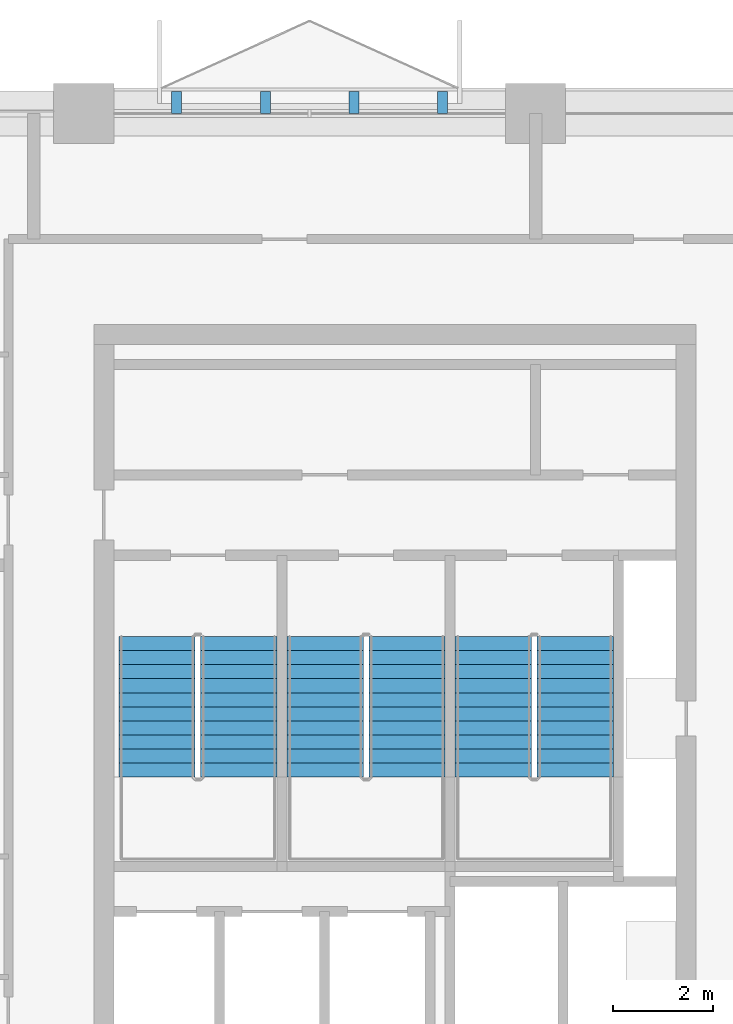
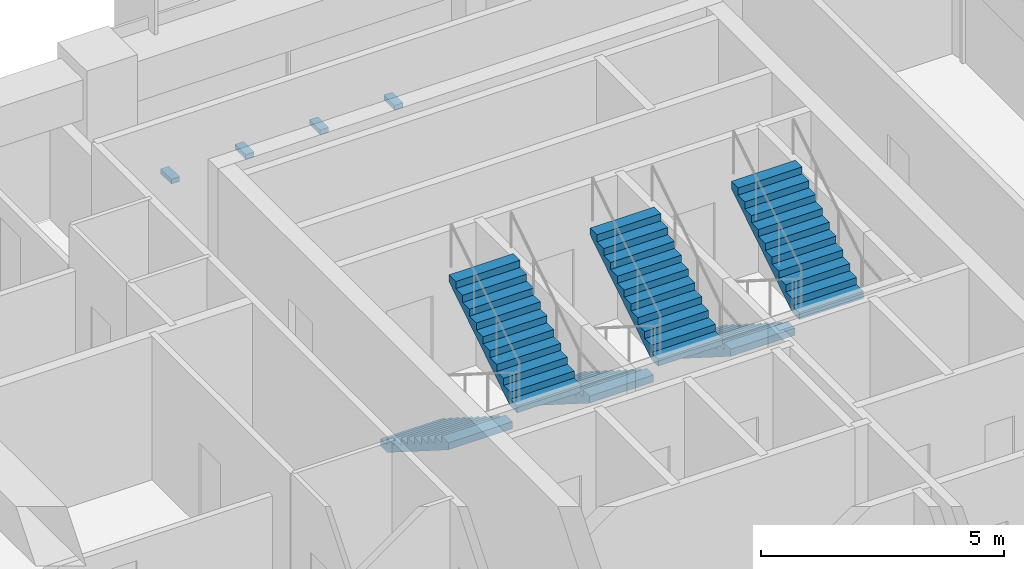
# One storey, part 9 of 10: 6 stair flights, 4 discrete accessories, 3 elements without a shape of their own.
"""IFC4 building model written with IfcOpenShell, lengths in metres."""

from ifc_helpers import new_model, si_unit, direction, frame, origin, origin_2d, place, context, subcontext, project, spatial, polyline, rectangle, outline, extrude, material, type_object, element, aggregate, save


model = new_model("IFC4")

# Units and contexts
model_context = context("Model", 3, precision=1e-05, world=origin(), true_north=direction((0.0, 1.0)))
body_context = subcontext(model_context, "Body", "Model", "MODEL_VIEW")
ifc_project = project(units=[si_unit("LENGTHUNIT", "METRE"), si_unit("AREAUNIT", "SQUARE_METRE"), si_unit("VOLUMEUNIT", "CUBIC_METRE"), si_unit("PLANEANGLEUNIT", "RADIAN"), si_unit("MASSUNIT", "GRAM", prefix="KILO")], contexts=[model_context])

# Site, building, storey
site_placement = place(None, origin())
site = spatial("IfcSite", under=ifc_project, at=site_placement, CompositionType="ELEMENT")
building_placement = place(site_placement, origin())
building = spatial("IfcBuilding", under=site, at=building_placement, Name="Tessera Arch", CompositionType="ELEMENT")
storey_placement = place(building_placement, frame((0.0, 0.0, 242.300048828125)))
storey = spatial("IfcBuildingStorey", under=building, at=storey_placement, Name="L58", CompositionType="ELEMENT", Elevation=242.300048828125)

# Stair, stair flights
ifc_material_1 = material(Name="Concrete C40/50", Category="concrete")
stair_type = type_object("IfcStairType", Name="Dogleg stair 1520", PredefinedType="HALF_TURN_STAIR", material=ifc_material_1)
stair_1_placement = place(storey_placement, origin())
stair_1 = element("IfcStair", 1, at=stair_1_placement, inside=storey, type_object=stair_type, Name="L58 S1a", PredefinedType="HALF_TURN_STAIR")
ifc_material_2 = material(Name="Concrete C40/50", Category="concrete")
stair_flight_type = type_object("IfcStairFlightType", Name="Stair flight 1520", PredefinedType="STRAIGHT", material=ifc_material_2)
stair_flight_1_placement = place(storey_placement, frame((37.4599609375, 43.580078125, 0.0), z_axis=(0.0, 0.0, 1.0), x_axis=(0.0, -1.0, 0.0)))
stair_flight_1 = element("IfcStairFlight", 2, at=stair_flight_1_placement, type_object=stair_flight_type, Name="S1a flight 1", NumberOfRisers=11, NumberOfTreads=10, PredefinedType="STRAIGHT", RiserHeight=0.177272727, TreadLength=0.28, context=body_context, shape_type="SweptSolid", body=[
    extrude(outline(polyline([(0.0, 0.0), (0.0, 0.17724609375), (0.280029296875, 0.17724609375), (0.280029296875, 0.3544921875), (0.56005859375, 0.3544921875), (0.56005859375, 0.53173828125), (0.840087890625, 0.53173828125), (0.840087890625, 0.708984375), (1.1201171875, 0.708984375), (1.1201171875, 0.886474609375), (1.39990234375, 0.886474609375), (1.39990234375, 1.063720703125), (1.679931640625, 1.063720703125), (1.679931640625, 1.240966796875), (1.9599609375, 1.240966796875), (1.9599609375, 1.418212890625), (2.239990234375, 1.418212890625), (2.239990234375, 1.595458984375), (2.52001953125, 1.595458984375), (2.52001953125, 1.772705078125), (2.800048828125, 1.772705078125), (2.800048828125, 1.949951171875), (2.800048828125, 1.59521484375), (0.2802734375, 0.0), (0.0, 0.0)])), frame((0.0, 0.760009765625, 0.0), z_axis=(0.0, -1.0, 0.0), x_axis=(1.0, 0.0, 0.0)), (0.0, 0.0, 1.0), 1.52001953125),
])
stair_flight_2_placement = place(storey_placement, frame((39.090087890625, 40.780029296875, 1.949951171875), z_axis=(0.0, 0.0, 1.0), x_axis=(0.0, 1.0, 0.0)))
stair_flight_2 = element("IfcStairFlight", 3, at=stair_flight_2_placement, type_object=stair_flight_type, Name="S1a flight 2", NumberOfRisers=11, NumberOfTreads=10, PredefinedType="STRAIGHT", RiserHeight=0.177272727, TreadLength=0.28, context=body_context, shape_type="SweptSolid", body=[
    extrude(outline(polyline([(0.0, 0.0), (0.0, 0.17724609375), (0.280029296875, 0.17724609375), (0.280029296875, 0.3544921875), (0.56005859375, 0.3544921875), (0.56005859375, 0.53173828125), (0.840087890625, 0.53173828125), (0.840087890625, 0.708984375), (1.1201171875, 0.708984375), (1.1201171875, 0.886474609375), (1.39990234375, 0.886474609375), (1.39990234375, 1.063720703125), (1.679931640625, 1.063720703125), (1.679931640625, 1.240966796875), (1.9599609375, 1.240966796875), (1.9599609375, 1.418212890625), (2.239990234375, 1.418212890625), (2.239990234375, 1.595458984375), (2.52001953125, 1.595458984375), (2.52001953125, 1.772705078125), (2.800048828125, 1.772705078125), (2.800048828125, 1.949951171875), (2.800048828125, 1.59521484375), (0.2802734375, 0.0), (0.0, 0.0)])), frame((0.0, 0.760009765625, 0.0), z_axis=(0.0, -1.0, 0.0), x_axis=(1.0, 0.0, 0.0)), (0.0, 0.0, 1.0), 1.52001953125),
])
aggregate(stair_1, [stair_flight_1, stair_flight_2])

stair_2_placement = place(storey_placement, origin())
stair_2 = element("IfcStair", 4, at=stair_2_placement, inside=storey, type_object=stair_type, Name="L58 S1b", PredefinedType="HALF_TURN_STAIR")
stair_flight_3_placement = place(storey_placement, frame((40.81005859375, 43.580078125, 0.0), z_axis=(0.0, 0.0, 1.0), x_axis=(0.0, -1.0, 0.0)))
stair_flight_3 = element("IfcStairFlight", 5, at=stair_flight_3_placement, type_object=stair_flight_type, Name="S1b flight 1", NumberOfRisers=11, NumberOfTreads=10, PredefinedType="STRAIGHT", RiserHeight=0.177272727, TreadLength=0.28, context=body_context, shape_type="SweptSolid", body=[
    extrude(outline(polyline([(0.0, 0.0), (0.0, 0.17724609375), (0.280029296875, 0.17724609375), (0.280029296875, 0.3544921875), (0.56005859375, 0.3544921875), (0.56005859375, 0.53173828125), (0.840087890625, 0.53173828125), (0.840087890625, 0.708984375), (1.1201171875, 0.708984375), (1.1201171875, 0.886474609375), (1.39990234375, 0.886474609375), (1.39990234375, 1.063720703125), (1.679931640625, 1.063720703125), (1.679931640625, 1.240966796875), (1.9599609375, 1.240966796875), (1.9599609375, 1.418212890625), (2.239990234375, 1.418212890625), (2.239990234375, 1.595458984375), (2.52001953125, 1.595458984375), (2.52001953125, 1.772705078125), (2.800048828125, 1.772705078125), (2.800048828125, 1.949951171875), (2.800048828125, 1.59521484375), (0.2802734375, 0.0), (0.0, 0.0)])), frame((0.0, 0.760009765625, 0.0), z_axis=(0.0, -1.0, 0.0), x_axis=(1.0, 0.0, 0.0)), (0.0, 0.0, 1.0), 1.52001953125),
])
stair_flight_4_placement = place(storey_placement, frame((42.43994140625, 40.780029296875, 1.949951171875), z_axis=(0.0, 0.0, 1.0), x_axis=(0.0, 1.0, 0.0)))
stair_flight_4 = element("IfcStairFlight", 6, at=stair_flight_4_placement, type_object=stair_flight_type, Name="S1b flight 2", NumberOfRisers=11, NumberOfTreads=10, PredefinedType="STRAIGHT", RiserHeight=0.177272727, TreadLength=0.28, context=body_context, shape_type="SweptSolid", body=[
    extrude(outline(polyline([(0.0, 0.0), (0.0, 0.17724609375), (0.280029296875, 0.17724609375), (0.280029296875, 0.3544921875), (0.56005859375, 0.3544921875), (0.56005859375, 0.53173828125), (0.840087890625, 0.53173828125), (0.840087890625, 0.708984375), (1.1201171875, 0.708984375), (1.1201171875, 0.886474609375), (1.39990234375, 0.886474609375), (1.39990234375, 1.063720703125), (1.679931640625, 1.063720703125), (1.679931640625, 1.240966796875), (1.9599609375, 1.240966796875), (1.9599609375, 1.418212890625), (2.239990234375, 1.418212890625), (2.239990234375, 1.595458984375), (2.52001953125, 1.595458984375), (2.52001953125, 1.772705078125), (2.800048828125, 1.772705078125), (2.800048828125, 1.949951171875), (2.800048828125, 1.59521484375), (0.2802734375, 0.0), (0.0, 0.0)])), frame((0.0, 0.760009765625, 0.0), z_axis=(0.0, -1.0, 0.0), x_axis=(1.0, 0.0, 0.0)), (0.0, 0.0, 1.0), 1.52001953125),
])
aggregate(stair_2, [stair_flight_3, stair_flight_4])

stair_3_placement = place(storey_placement, origin())
stair_3 = element("IfcStair", 7, at=stair_3_placement, inside=storey, type_object=stair_type, Name="L58 S1c", PredefinedType="HALF_TURN_STAIR")
stair_flight_5_placement = place(storey_placement, frame((44.159912109375, 43.580078125, 0.0), z_axis=(0.0, 0.0, 1.0), x_axis=(0.0, -1.0, 0.0)))
stair_flight_5 = element("IfcStairFlight", 8, at=stair_flight_5_placement, type_object=stair_flight_type, Name="S1c flight 1", NumberOfRisers=11, NumberOfTreads=10, PredefinedType="STRAIGHT", RiserHeight=0.177272727, TreadLength=0.28, context=body_context, shape_type="SweptSolid", body=[
    extrude(outline(polyline([(0.0, 0.0), (0.0, 0.17724609375), (0.280029296875, 0.17724609375), (0.280029296875, 0.3544921875), (0.56005859375, 0.3544921875), (0.56005859375, 0.53173828125), (0.840087890625, 0.53173828125), (0.840087890625, 0.708984375), (1.1201171875, 0.708984375), (1.1201171875, 0.886474609375), (1.39990234375, 0.886474609375), (1.39990234375, 1.063720703125), (1.679931640625, 1.063720703125), (1.679931640625, 1.240966796875), (1.9599609375, 1.240966796875), (1.9599609375, 1.418212890625), (2.239990234375, 1.418212890625), (2.239990234375, 1.595458984375), (2.52001953125, 1.595458984375), (2.52001953125, 1.772705078125), (2.800048828125, 1.772705078125), (2.800048828125, 1.949951171875), (2.800048828125, 1.59521484375), (0.2802734375, 0.0), (0.0, 0.0)])), frame((0.0, 0.760009765625, 0.0), z_axis=(0.0, -1.0, 0.0), x_axis=(1.0, 0.0, 0.0)), (0.0, 0.0, 1.0), 1.52001953125),
])
stair_flight_6_placement = place(storey_placement, frame((45.7900390625, 40.780029296875, 1.949951171875), z_axis=(0.0, 0.0, 1.0), x_axis=(0.0, 1.0, 0.0)))
stair_flight_6 = element("IfcStairFlight", 9, at=stair_flight_6_placement, type_object=stair_flight_type, Name="S1c flight 2", NumberOfRisers=11, NumberOfTreads=10, PredefinedType="STRAIGHT", RiserHeight=0.177272727, TreadLength=0.28, context=body_context, shape_type="SweptSolid", body=[
    extrude(outline(polyline([(0.0, 0.0), (0.0, 0.17724609375), (0.280029296875, 0.17724609375), (0.280029296875, 0.3544921875), (0.56005859375, 0.3544921875), (0.56005859375, 0.53173828125), (0.840087890625, 0.53173828125), (0.840087890625, 0.708984375), (1.1201171875, 0.708984375), (1.1201171875, 0.886474609375), (1.39990234375, 0.886474609375), (1.39990234375, 1.063720703125), (1.679931640625, 1.063720703125), (1.679931640625, 1.240966796875), (1.9599609375, 1.240966796875), (1.9599609375, 1.418212890625), (2.239990234375, 1.418212890625), (2.239990234375, 1.595458984375), (2.52001953125, 1.595458984375), (2.52001953125, 1.772705078125), (2.800048828125, 1.772705078125), (2.800048828125, 1.949951171875), (2.800048828125, 1.59521484375), (0.2802734375, 0.0), (0.0, 0.0)])), frame((0.0, 0.760009765625, 0.0), z_axis=(0.0, -1.0, 0.0), x_axis=(1.0, 0.0, 0.0)), (0.0, 0.0, 1.0), 1.52001953125),
])
aggregate(stair_3, [stair_flight_5, stair_flight_6])

# Discrete accessories
for number, where, z_axis, x_axis, name in (
    (10, (43.14990234375, 54.219970703125, -0.1201171875), (0.0, 0.0, 1.0), (0.0, 1.0, 0.0), "Window box bracket"),
    (11, (41.38330078125, 54.219970703125, -0.1201171875), (0.0, 0.0, 1.0), (0.0, 1.0, 0.0), "Window box bracket"),
    (12, (39.61669921875, 54.219970703125, -0.1201171875), (0.0, 0.0, 1.0), (0.0, 1.0, 0.0), "Window box bracket"),
    (13, (37.85009765625, 54.219970703125, -0.1201171875), (0.0, 0.0, 1.0), (0.0, 1.0, 0.0), "Window box bracket"),
):
    element("IfcDiscreteAccessory", number, at=place(storey_placement, frame(where, z_axis=z_axis, x_axis=x_axis)), inside=storey, Name=name, PredefinedType="BRACKET", context=body_context, shape_type="SweptSolid", body=[
        extrude(rectangle(XDim=0.43994140625, YDim=0.199951171875, at=origin_2d()), origin(), (0.0, 0.0, 1.0), 0.1201171875),
    ])

save(model, "model.ifc")
